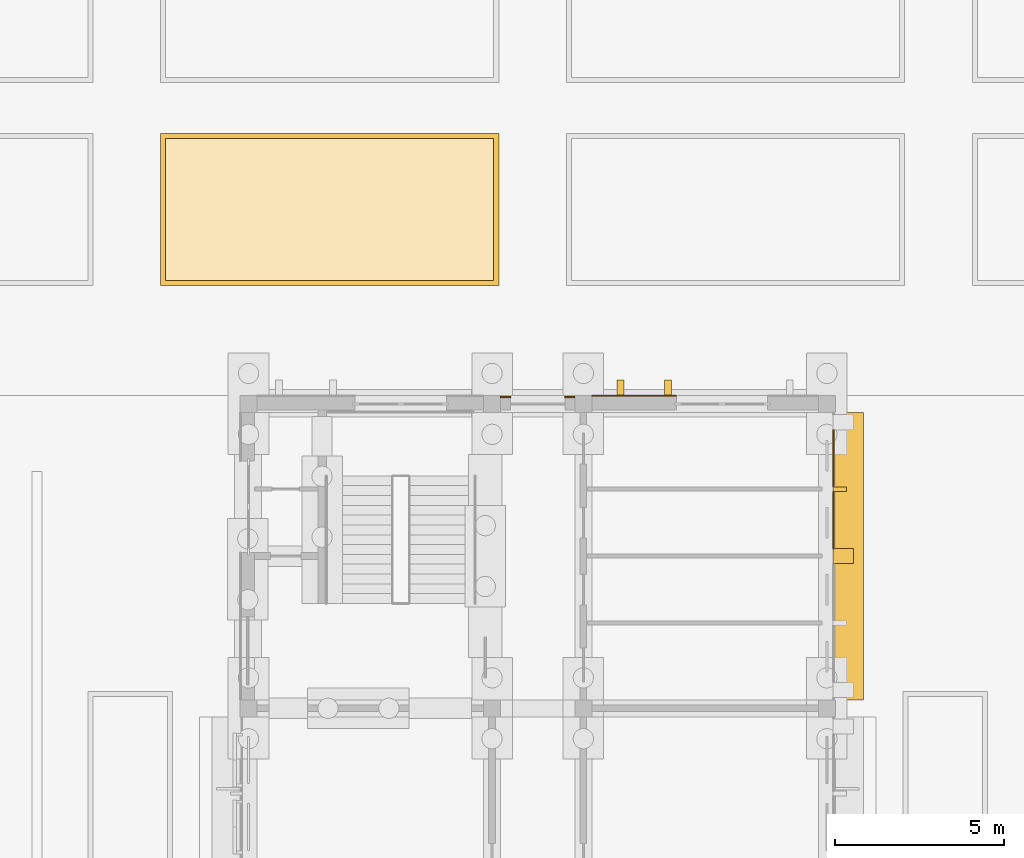
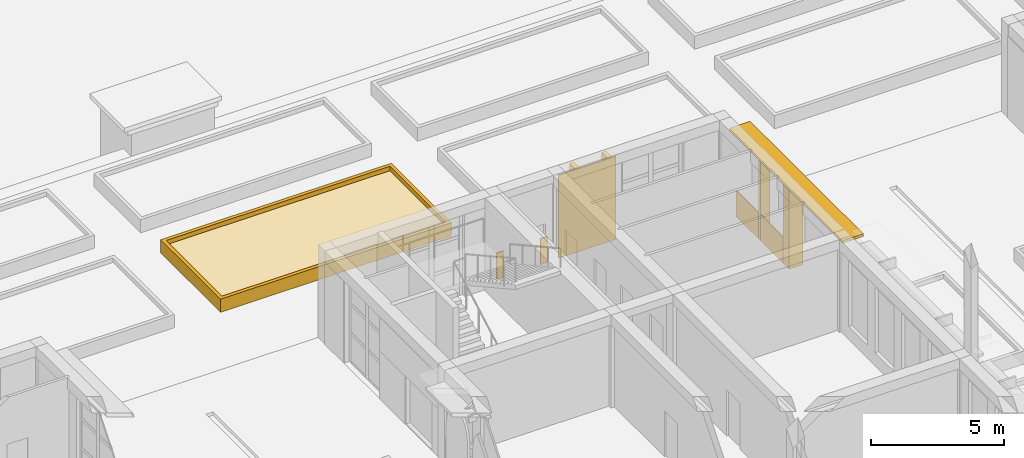
# One storey, part 117 of 161: 11 coverings, 1 shading device.
"""IFC4 building model written with IfcOpenShell, lengths in metres."""

from ifc_helpers import new_model, si_unit, direction, frame, origin, origin_2d, place, context, subcontext, project, spatial, polyline, rectangle, outline, extrude, material, layer, layer_set, type_object, element, save


model = new_model("IFC4")

# Units and contexts
model_context = context("Model", 3, precision=1e-05, world=origin(), true_north=direction((0.0, 1.0)))
body_context = subcontext(model_context, "Body", "Model", "MODEL_VIEW")
ifc_project = project(units=[si_unit("LENGTHUNIT", "METRE"), si_unit("AREAUNIT", "SQUARE_METRE"), si_unit("VOLUMEUNIT", "CUBIC_METRE"), si_unit("PLANEANGLEUNIT", "RADIAN"), si_unit("MASSUNIT", "GRAM", prefix="KILO")], contexts=[model_context])

# Site, building, storey
site_placement = place(None, origin())
site = spatial("IfcSite", under=ifc_project, at=site_placement, CompositionType="ELEMENT")
building_placement = place(site_placement, origin())
building = spatial("IfcBuilding", under=site, at=building_placement, Name="Elbe Cascade School", CompositionType="ELEMENT")
storey_placement = place(building_placement, origin())
storey = spatial("IfcBuildingStorey", under=building, at=storey_placement, Name="L00", CompositionType="ELEMENT", Elevation=0.0)

# Shading device
ifc_material_1 = material(Name="Precast concrete C30/37", Category="concrete")
ifc_layer_1 = layer(ifc_material_1, 0.1201171875)
ifc_layer_set_1 = layer_set([ifc_layer_1], Name="Precast concrete C30/37")
shading_device_type = type_object("IfcShadingDeviceType", Name="Bars envelope Chhajja eave, precast concrete, 900 x 120", PredefinedType="USERDEFINED", material=ifc_layer_set_1)
shading_device_placement = place(storey_placement, frame((116.330078125, 55.5, 3.6298828125), z_axis=(0.0, 0.0, 1.0), x_axis=(0.0, 1.0, 0.0)))
element("IfcShadingDevice", 1, at=shading_device_placement, inside=storey, type_object=shading_device_type, Name="Chhajja eave SD2 B.L00.e6", ObjectType="CHHAJJA", PredefinedType="USERDEFINED", context=body_context, shape_type="SweptSolid", body=[
    extrude(rectangle(XDim=8.5, YDim=0.89990234375, at=origin_2d()), origin(), (0.0, 0.0, 1.0), 0.1201171875),
])

# Coverings
ifc_material_2 = material(Name="Precast concrete C40/50", Category="concrete")
covering_type_1 = type_object("IfcCoveringType", Name="Bars envelope Precast concrete fin, 140 wide, 400 deep", PredefinedType="CLADDING", material=ifc_material_2)
covering_1_placement = place(storey_placement, frame((116.080078125, 57.47998046875, 0.0), z_axis=(0.0, 0.0, 1.0), x_axis=(0.0, 1.0, 0.0)))
element("IfcCovering", 2, at=covering_1_placement, inside=storey, type_object=covering_type_1, Name="Fin CV56 B.L00.e6.5", PredefinedType="CLADDING", context=body_context, shape_type="SweptSolid", body=[
    extrude(rectangle(XDim=0.139892578125, YDim=0.39990234375, at=origin_2d()), origin(), (0.0, 0.0, 1.0), 3.6298828125),
])
ifc_material_3 = material(Name="Precast concrete C40/50", Category="concrete")
covering_type_2 = type_object("IfcCoveringType", Name="Bars envelope Precast concrete fin, 450 wide, 600 deep", PredefinedType="CLADDING", material=ifc_material_3)
covering_2_placement = place(storey_placement, frame((116.179931640625, 55.5, 0.0), z_axis=(0.0, 0.0, 1.0), x_axis=(0.0, 1.0, 0.0)))
element("IfcCovering", 3, at=covering_2_placement, inside=storey, type_object=covering_type_2, Name="Fin CV55 B.L00.e6.2", PredefinedType="CLADDING", context=body_context, shape_type="SweptSolid", body=[
    extrude(rectangle(XDim=0.449951171875, YDim=0.60009765625, at=origin_2d()), origin(), (0.0, 0.0, 1.0), 3.6298828125),
])
ifc_material_4 = material(Name="Precast concrete C40/50", Category="concrete")
covering_type_3 = type_object("IfcCoveringType", Name="Bars envelope Precast concrete gable fin, 200 wide, 450 deep", PredefinedType="CLADDING", material=ifc_material_4)
for number, where, z_axis, x_axis, name in (
    (4, (109.60009765625, 60.485107421875, 0.0), (0.0, 0.0, 1.0), (1.0, 0.0, 0.0), "Fin CV57 B.L00.n.3"),
    (5, (111.0, 60.485107421875, 0.0), (0.0, 0.0, 1.0), (1.0, 0.0, 0.0), "Fin CV57 B.L00.n.4"),
):
    element("IfcCovering", number, at=place(storey_placement, frame(where, z_axis=z_axis, x_axis=x_axis)), inside=storey, type_object=covering_type_3, Name=name, PredefinedType="CLADDING", context=body_context, shape_type="SweptSolid", body=[
        extrude(rectangle(XDim=0.199951171875, YDim=0.449951171875, at=origin_2d()), origin(), (0.0, 0.0, 1.0), 3.800048828125),
    ])
ifc_material_5 = material(Name="Sandstone - red", Category="masonry")
ifc_layer_2 = layer(ifc_material_5, 0.0400390625)
ifc_layer_set_2 = layer_set([ifc_layer_2], Name="Sandstone - red")
covering_type_4 = type_object("IfcCoveringType", Name="Bars envelope Sandstone cladding, red, 40 mm", PredefinedType="CLADDING", material=ifc_layer_set_2)
for number, where, z_axis, x_axis, name in (
    (6, (115.89990234375, 56.5673828125, 0.0), (0.0, 0.0, 1.0), (0.0, 1.0, 0.0), "Sandstone cladding CV48 B.L00.e.6.4"),
    (7, (115.89990234375, 58.392578125, 0.0), (0.0, 0.0, 1.0), (0.0, 1.0, 0.0), "Sandstone cladding CV48 B.L00.e.6.5"),
):
    element("IfcCovering", number, at=place(storey_placement, frame(where, z_axis=z_axis, x_axis=x_axis)), inside=storey, type_object=covering_type_4, Name=name, PredefinedType="CLADDING", context=body_context, shape_type="SweptSolid", body=[
        extrude(rectangle(XDim=1.68505859375, YDim=0.0400390625, at=origin_2d()), origin(), (0.0, 0.0, 1.0), 1.199951171875),
    ])
for number, where, z_axis, x_axis, name in (
    (8, (106.199951171875, 60.199951171875, 0.0), (0.0, 0.0, 1.0), (1.0, 0.0, 0.0), "Sandstone cladding CV48 B.L00.n.2.1"),
    (9, (108.10009765625, 60.199951171875, 0.0), (0.0, 0.0, 1.0), (1.0, 0.0, 0.0), "Sandstone cladding CV48 B.L00.n.2.2"),
):
    element("IfcCovering", number, at=place(storey_placement, frame(where, z_axis=z_axis, x_axis=x_axis)), inside=storey, type_object=covering_type_4, Name=name, PredefinedType="CLADDING", context=body_context, shape_type="SweptSolid", body=[
        extrude(rectangle(XDim=0.300048828125, YDim=0.0400390625, at=origin_2d()), origin(), (0.0, 0.0, 1.0), 1.199951171875),
    ])
covering_3_placement = place(storey_placement, frame((110.0, 60.239990234375, 0.0), z_axis=(0.0, 0.0, 1.0), x_axis=(1.0, 0.0, 0.0)))
element("IfcCovering", 10, at=covering_3_placement, inside=storey, type_object=covering_type_4, Name="Sandstone cladding CV48 B.L00.n.3a.1", PredefinedType="CLADDING", context=body_context, shape_type="SweptSolid", body=[
    extrude(rectangle(XDim=2.5, YDim=0.0400390625, at=origin_2d()), origin(), (0.0, 0.0, 1.0), 3.800048828125),
])
ifc_material_6 = material(Name="Planting - soil and shrubs", Category="soil")
ifc_layer_3 = layer(ifc_material_6, 0.39990234375)
ifc_layer_set_3 = layer_set([ifc_layer_3], Name="Planting - soil and shrubs")
covering_type_5 = type_object("IfcCoveringType", Name="Site planting bed 400", PredefinedType="USERDEFINED", material=ifc_layer_set_3)
covering_4_placement = place(storey_placement, origin())
element("IfcCovering", 11, at=covering_4_placement, inside=storey, type_object=covering_type_5, Name="Deck planting bed north a.3", ObjectType="PLANTING BED", PredefinedType="USERDEFINED", context=body_context, shape_type="SweptSolid", body=[
    extrude(outline(polyline([(96.14990234375, 63.64990234375), (105.85009765625, 63.64990234375), (105.85009765625, 67.85009765625), (96.14990234375, 67.85009765625), (96.14990234375, 63.64990234375)])), origin(), (0.0, 0.0, 1.0), 0.39990234375),
])
ifc_material_7 = material(Name="Concrete C30/37 precast kerb", Category="concrete")
ifc_layer_4 = layer(ifc_material_7, 0.14990234375)
ifc_layer_set_4 = layer_set([ifc_layer_4], Name="Concrete C30/37 precast kerb")
covering_type_6 = type_object("IfcCoveringType", Name="Site planting bed kerb 150x600", PredefinedType="CLADDING", material=ifc_layer_set_4)
covering_5_placement = place(storey_placement, origin())
element("IfcCovering", 12, at=covering_5_placement, inside=storey, type_object=covering_type_6, Name="Deck planting bed kerb north a.3", PredefinedType="CLADDING", context=body_context, shape_type="SweptSolid", body=[
    extrude(outline(polyline([(96.0, 63.5), (106.0, 63.5), (106.0, 68.0), (96.0, 68.0), (96.0, 63.5)]), holes=[polyline([(96.14990234375, 63.64990234375), (105.85009765625, 63.64990234375), (105.85009765625, 67.85009765625), (96.14990234375, 67.85009765625), (96.14990234375, 63.64990234375)])]), origin(), (0.0, 0.0, 1.0), 0.60009765625),
])

save(model, "model.ifc")
